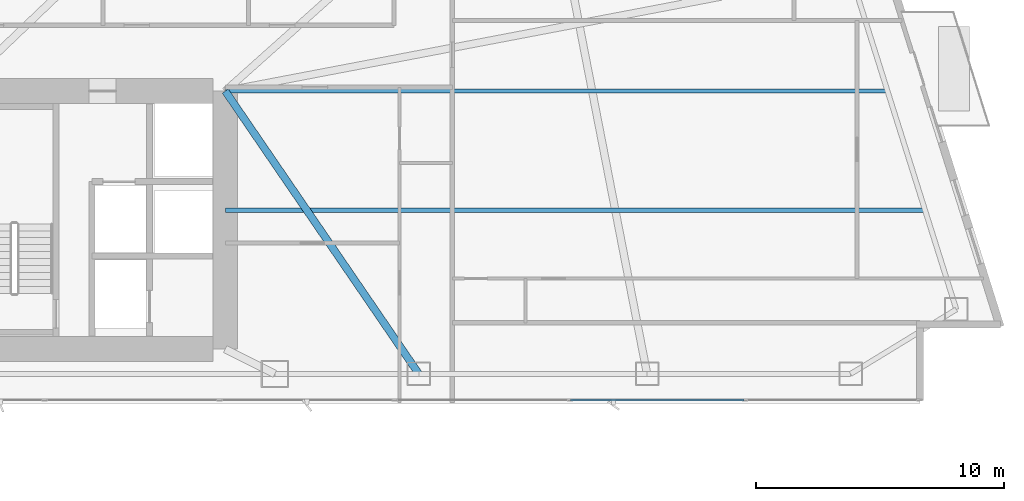
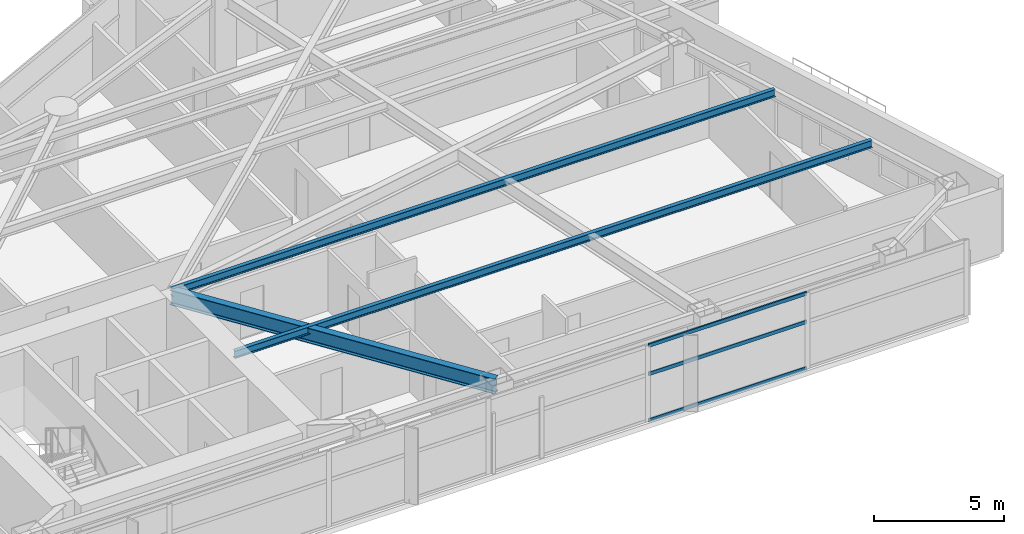
# One storey, part 13 of 29: 3 beams, 3 members, 1 element without a shape of its own.
"""IFC4 building model written with IfcOpenShell, lengths in metres."""

from ifc_helpers import new_model, si_unit, direction, frame, origin, origin_2d, place, context, subcontext, project, spatial, hollow_rectangle, i_section, extrude, material, layer, layer_set, material_profile, profile_set, type_object, element, aggregate, save


model = new_model("IFC4")

# Units and contexts
model_context = context("Model", 3, precision=1e-05, world=origin(), true_north=direction((0.0, 1.0)))
body_context = subcontext(model_context, "Body", "Model", "MODEL_VIEW")
ifc_project = project(units=[si_unit("LENGTHUNIT", "METRE"), si_unit("AREAUNIT", "SQUARE_METRE"), si_unit("VOLUMEUNIT", "CUBIC_METRE"), si_unit("PLANEANGLEUNIT", "RADIAN"), si_unit("MASSUNIT", "GRAM", prefix="KILO")], contexts=[model_context])

# Site, building, storey
site_placement = place(None, origin())
site = spatial("IfcSite", under=ifc_project, at=site_placement, CompositionType="ELEMENT")
building_placement = place(site_placement, origin())
building = spatial("IfcBuilding", under=site, at=building_placement, Name="Calvorn Quay Hotel", CompositionType="ELEMENT")
storey_placement = place(building_placement, frame((0.0, 0.0, 62.199951171875)))
storey = spatial("IfcBuildingStorey", under=building, at=storey_placement, Name="L14", CompositionType="ELEMENT", Elevation=62.199951171875)

# Beams
ifc_material_1 = material(Name="Steel Q390GJC", Category="steel")
ifc_material_profile_1 = material_profile(ifc_material_1, i_section(OverallWidth=0.300048828125, OverallDepth=0.699951171875, WebThickness=0.012939453125, FlangeThickness=0.02392578125, FilletRadius=0.02392578125, at=origin_2d()), Name="HN700x300x13x24")
ifc_profile_set_1 = profile_set([ifc_material_profile_1], Name="Steel Q390GJC")
beam_type_1 = type_object("IfcBeamType", Name="BM-GIRD-MAIN", PredefinedType="BEAM", material=ifc_profile_set_1)
beam_1_placement = place(storey_placement, frame((40.199951171875, 3.60009765625, 3.18994140625), z_axis=(-0.564689618177, 0.825303359452, 0.0), x_axis=(-0.825303359452, -0.564689618177, 0.0)))
element("IfcBeam", 1, at=beam_1_placement, inside=storey, type_object=beam_type_1, Name="Beam BG-L14-E6", PredefinedType="BEAM", context=body_context, shape_type="SweptSolid", body=[
    extrude(i_section(OverallWidth=0.300048828125, OverallDepth=0.699951171875, WebThickness=0.012939453125, FlangeThickness=0.02392578125, FilletRadius=0.02392578125, at=origin_2d()), origin(), (0.0, 0.0, 1.0), 13.81298828125),
])
ifc_material_2 = material(Name="Steel Q355B", Category="steel")
ifc_material_profile_2 = material_profile(ifc_material_2, i_section(OverallWidth=0.175048828125, OverallDepth=0.35009765625, WebThickness=0.007080078125, FlangeThickness=0.010986328125, FilletRadius=0.013916015625, at=origin_2d()), Name="HN350x175x7x11")
ifc_profile_set_2 = profile_set([ifc_material_profile_2], Name="Steel Q355B")
beam_type_2 = type_object("IfcBeamType", Name="BM-JOIST-SEC", PredefinedType="JOIST", material=ifc_profile_set_2)
beam_2_placement = place(storey_placement, frame((32.39990234375, 10.199951171875, 3.364990234375), z_axis=(1.0, 0.0, 0.0), x_axis=(0.0, 1.0, 0.0)))
element("IfcBeam", 2, at=beam_2_placement, inside=storey, type_object=beam_type_2, Name="Beam BJ-L14-E1", PredefinedType="JOIST", context=body_context, shape_type="SweptSolid", body=[
    extrude(i_section(OverallWidth=0.175048828125, OverallDepth=0.35009765625, WebThickness=0.007080078125, FlangeThickness=0.010986328125, FilletRadius=0.013916015625, at=origin_2d()), origin(), (0.0, 0.0, 1.0), 28.201171875),
])
beam_3_placement = place(storey_placement, frame((32.39990234375, 15.0, 3.364990234375), z_axis=(1.0, 0.0, 0.0), x_axis=(0.0, 1.0, 0.0)))
element("IfcBeam", 3, at=beam_3_placement, inside=storey, type_object=beam_type_2, Name="Beam BJ-L14-E2", PredefinedType="JOIST", context=body_context, shape_type="SweptSolid", body=[
    extrude(i_section(OverallWidth=0.175048828125, OverallDepth=0.35009765625, WebThickness=0.007080078125, FlangeThickness=0.010986328125, FilletRadius=0.013916015625, at=origin_2d()), origin(), (0.0, 0.0, 1.0), 26.68798828125),
])

# Curtain wall, members
ifc_material_3 = material(Name="Pale Anodised Aluminium and Low-E Glass", Category="aluminium")
ifc_layer = layer(ifc_material_3, 0.219970703125)
ifc_layer_set = layer_set([ifc_layer], Name="CW-SYS-Z1")
curtain_wall_type = type_object("IfcCurtainWallType", Name="CW-SYS-Z1", PredefinedType="NOTDEFINED", material=ifc_layer_set)
curtain_wall_placement = place(storey_placement, origin())
curtain_wall = element("IfcCurtainWall", 4, at=curtain_wall_placement, inside=storey, type_object=curtain_wall_type, Name="Tower South Waterfront Curtain Wall (L14)", PredefinedType="NOTDEFINED")
ifc_material_4 = material(Name="Pale Anodised Aluminium 6063-T6", Category="aluminium")
ifc_material_profile_3 = material_profile(ifc_material_4, hollow_rectangle(XDim=0.06494140625, YDim=0.1650390625, WallThickness=0.00341796875, at=origin_2d()), Name="ALU-T165x65x3.5")
ifc_profile_set_3 = profile_set([ifc_material_profile_3], Name="Pale Anodised Aluminium 6063-T6")
member_type = type_object("IfcMemberType", Name="CW-SYS-Z1-TRN", PredefinedType="USERDEFINED", material=ifc_profile_set_3)
member_1_placement = place(storey_placement, frame((46.315673828125, 2.550048828125, 0.030029296875), z_axis=(1.0, 0.0, 0.0), x_axis=(0.0, 1.0, 0.0)))
member_1 = element("IfcMember", 5, at=member_1_placement, type_object=member_type, Name="CW-L14-S transom 6.1", ObjectType="TRANSOM", PredefinedType="USERDEFINED", context=body_context, shape_type="SweptSolid", body=[
    extrude(hollow_rectangle(XDim=0.06494140625, YDim=0.1650390625, WallThickness=0.00341796875, at=origin_2d()), origin(), (0.0, 0.0, 1.0), 6.9970703125),
])
member_2_placement = place(storey_placement, frame((46.315673828125, 2.550048828125, 2.199951171875), z_axis=(1.0, 0.0, 0.0), x_axis=(0.0, 1.0, 0.0)))
member_2 = element("IfcMember", 6, at=member_2_placement, type_object=member_type, Name="CW-L14-S transom 6.2", ObjectType="TRANSOM", PredefinedType="USERDEFINED", context=body_context, shape_type="SweptSolid", body=[
    extrude(hollow_rectangle(XDim=0.06494140625, YDim=0.1650390625, WallThickness=0.00341796875, at=origin_2d()), origin(), (0.0, 0.0, 1.0), 6.9970703125),
])
member_3_placement = place(storey_placement, frame((46.315673828125, 2.550048828125, 3.530029296875), z_axis=(1.0, 0.0, 0.0), x_axis=(0.0, 1.0, 0.0)))
member_3 = element("IfcMember", 7, at=member_3_placement, type_object=member_type, Name="CW-L14-S transom 6.3", ObjectType="TRANSOM", PredefinedType="USERDEFINED", context=body_context, shape_type="SweptSolid", body=[
    extrude(hollow_rectangle(XDim=0.06494140625, YDim=0.1650390625, WallThickness=0.00341796875, at=origin_2d()), origin(), (0.0, 0.0, 1.0), 6.9970703125),
])
aggregate(curtain_wall, [member_1, member_2, member_3])

save(model, "model.ifc")
